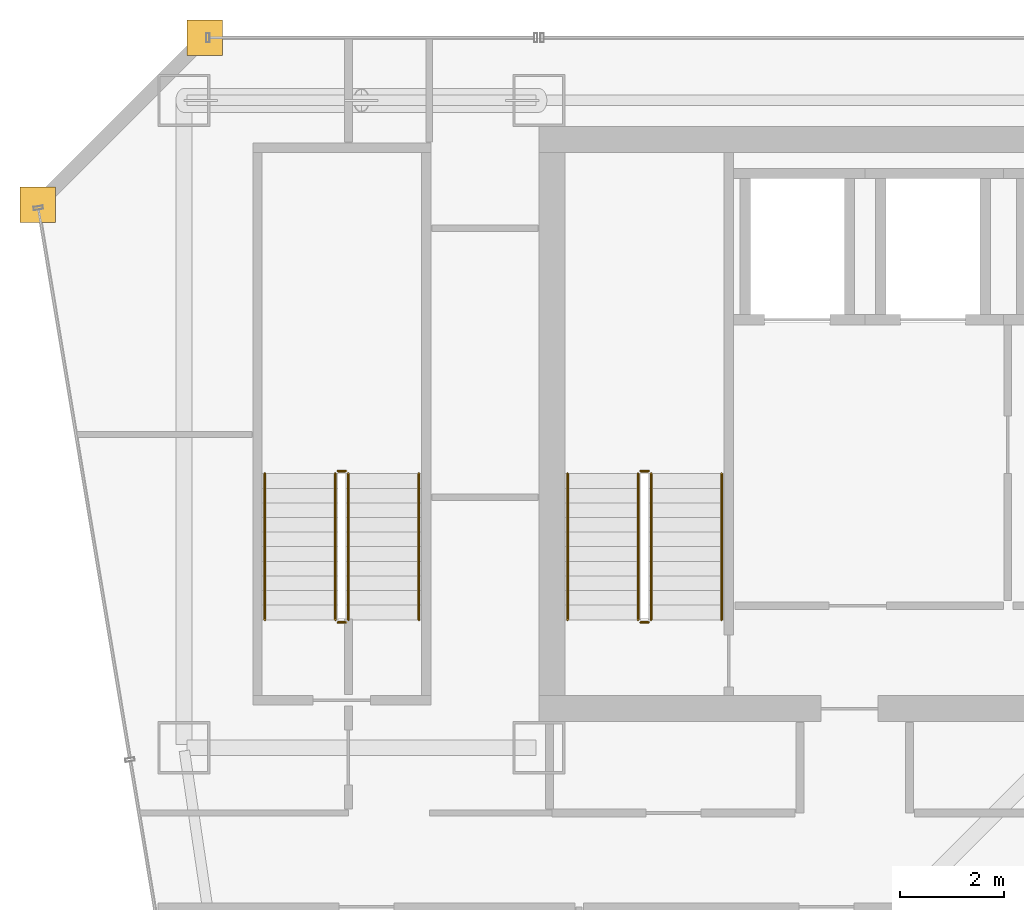
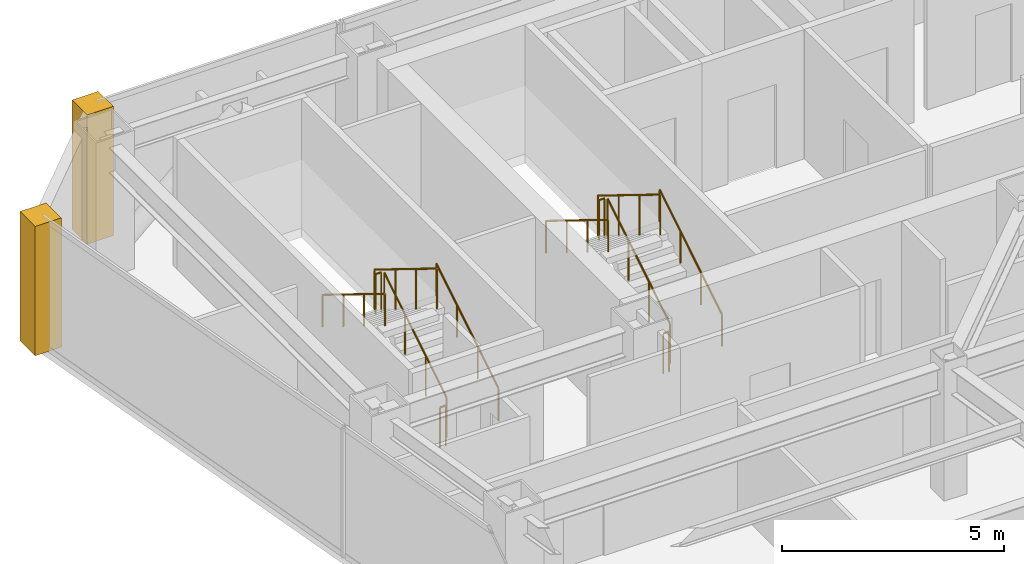
# One storey, part 35 of 36: 12 railings, 2 coverings.
"""IFC4 building model written with IfcOpenShell, lengths in metres."""

from ifc_helpers import new_model, si_unit, direction, frame, origin, origin_2d, place, context, subcontext, project, spatial, polyline, circle, outline, extrude, material, layer, layer_set, type_object, element, save


model = new_model("IFC4")

# Units and contexts
model_context = context("Model", 3, precision=1e-05, world=origin(), true_north=direction((0.0, 1.0)))
body_context = subcontext(model_context, "Body", "Model", "MODEL_VIEW")
ifc_project = project(units=[si_unit("LENGTHUNIT", "METRE"), si_unit("AREAUNIT", "SQUARE_METRE"), si_unit("VOLUMEUNIT", "CUBIC_METRE"), si_unit("PLANEANGLEUNIT", "RADIAN"), si_unit("MASSUNIT", "GRAM", prefix="KILO")], contexts=[model_context])

# Site, building, storey
site_placement = place(None, origin())
site = spatial("IfcSite", under=ifc_project, at=site_placement, CompositionType="ELEMENT")
building_placement = place(site_placement, origin())
building = spatial("IfcBuilding", under=site, at=building_placement, Name="Saevonmaru Cultural Tower", CompositionType="ELEMENT")
storey_placement = place(building_placement, frame((0.0, 0.0, 152.39990234375)))
storey = spatial("IfcBuildingStorey", under=building, at=storey_placement, Name="L33", CompositionType="ELEMENT", Elevation=152.39990234375)

# Coverings
ifc_material_1 = material(Name="Satin Bronze Anodised Aluminium", Category="aluminium")
ifc_layer = layer(ifc_material_1, 0.679931640625, Name="Satin Bronze Anodised Aluminium")
ifc_layer_set = layer_set([ifc_layer], Name="Satin Bronze Anodised Aluminium")
covering_type = type_object("IfcCoveringType", Name="CV-CORNER-CLAD", PredefinedType="CLADDING", material=ifc_layer_set)
covering_1_placement = place(storey_placement, origin())
element("IfcCovering", 1, at=covering_1_placement, inside=storey, type_object=covering_type, Name="L33 Tower Bronze Corner Cladding Pier 11", PredefinedType="CLADDING", context=body_context, shape_type="SweptSolid", body=[
    extrude(outline(polyline([(6.860107421875, 55.659912109375), (7.5400390625, 55.659912109375), (7.5400390625, 56.340087890625), (6.860107421875, 56.340087890625), (6.860107421875, 55.659912109375)])), origin(), (0.0, 0.0, 1.0), 3.550048828125),
])
covering_2_placement = place(storey_placement, origin())
element("IfcCovering", 2, at=covering_2_placement, inside=storey, type_object=covering_type, Name="L33 Tower Bronze Corner Cladding Pier 12", PredefinedType="CLADDING", context=body_context, shape_type="SweptSolid", body=[
    extrude(outline(polyline([(3.659912109375, 52.4599609375), (4.340087890625, 52.4599609375), (4.340087890625, 53.139892578125), (3.659912109375, 53.139892578125), (3.659912109375, 52.4599609375)])), origin(), (0.0, 0.0, 1.0), 3.550048828125),
])

# Railings
ifc_material_2 = material(Name="Architectural Painted Steel", Category="steel")
railing_type_1 = type_object("IfcRailingType", Name="RL-STAIR-GUARD", PredefinedType="GUARDRAIL", material=ifc_material_2)
railing_1_placement = place(storey_placement, frame((15.75, 44.85009765625, 0.1728515625)))
element("IfcRailing", 3, at=railing_1_placement, inside=storey, type_object=railing_type_1, Name="L33 ST-1 stair guard 1", PredefinedType="GUARDRAIL", context=body_context, shape_type="SweptSolid", body=[
    extrude(circle(Radius=0.02392578125, at=origin_2d()), frame((0.0, 0.0, 1.09619140625), z_axis=(0.0, 0.851069175582, 0.525053576669), x_axis=(-1.0, 0.0, 0.0)), (0.0, 0.0, 1.0), 3.289794921875),
    extrude(circle(Radius=0.02099609375, at=origin_2d()), origin(), (0.0, 0.0, 1.0), 1.072021484375),
    extrude(circle(Radius=0.02099609375, at=origin_2d()), frame((0.0, 0.933349609375, 0.57568359375)), (0.0, 0.0, 1.0), 1.072021484375),
    extrude(circle(Radius=0.02099609375, at=origin_2d()), frame((0.0, 1.866455078125, 1.151611328125)), (0.0, 0.0, 1.0), 1.072021484375),
    extrude(circle(Radius=0.02099609375, at=origin_2d()), frame((0.0, 2.7998046875, 1.727294921875)), (0.0, 0.0, 1.0), 1.072021484375),
])
railing_2_placement = place(storey_placement, frame((15.699951171875, 47.699951171875, 1.900146484375)))
element("IfcRailing", 4, at=railing_2_placement, inside=storey, type_object=railing_type_1, Name="L33 ST-1 stair guard 2", PredefinedType="GUARDRAIL", context=body_context, shape_type="SweptSolid", body=[
    extrude(circle(Radius=0.02392578125, at=origin_2d()), frame((0.0, 0.0, 1.09619140625), z_axis=(-1.0, 0.0, 0.0), x_axis=(0.0, -1.0, 0.0)), (0.0, 0.0, 1.0), 0.14990234375),
    extrude(circle(Radius=0.02099609375, at=origin_2d()), origin(), (0.0, 0.0, 1.0), 1.072021484375),
    extrude(circle(Radius=0.02099609375, at=origin_2d()), frame((-0.14990234375, 0.0, 0.0)), (0.0, 0.0, 1.0), 1.072021484375),
])
railing_3_placement = place(storey_placement, frame((15.5, 47.64990234375, 2.07275390625)))
element("IfcRailing", 5, at=railing_3_placement, inside=storey, type_object=railing_type_1, Name="L33 ST-1 stair guard 3", PredefinedType="GUARDRAIL", context=body_context, shape_type="SweptSolid", body=[
    extrude(circle(Radius=0.02392578125, at=origin_2d()), frame((0.0, 0.0, 1.09619140625), z_axis=(0.0, -0.851069175582, 0.525053576669), x_axis=(1.0, 0.0, 0.0)), (0.0, 0.0, 1.0), 3.289794921875),
    extrude(circle(Radius=0.02099609375, at=origin_2d()), origin(), (0.0, 0.0, 1.0), 1.072021484375),
    extrude(circle(Radius=0.02099609375, at=origin_2d()), frame((0.0, -0.933349609375, 0.57568359375)), (0.0, 0.0, 1.0), 1.072021484375),
    extrude(circle(Radius=0.02099609375, at=origin_2d()), frame((0.0, -1.866455078125, 1.151611328125)), (0.0, 0.0, 1.0), 1.072021484375),
    extrude(circle(Radius=0.02099609375, at=origin_2d()), frame((0.0, -2.7998046875, 1.727294921875)), (0.0, 0.0, 1.0), 1.072021484375),
])
railing_4_placement = place(storey_placement, frame((15.699951171875, 44.800048828125, 0.0)))
element("IfcRailing", 6, at=railing_4_placement, inside=storey, type_object=railing_type_1, Name="L33 ST-1 stair guard 4", PredefinedType="GUARDRAIL", context=body_context, shape_type="SweptSolid", body=[
    extrude(circle(Radius=0.02392578125, at=origin_2d()), frame((0.0, 0.0, 1.09619140625), z_axis=(-1.0, 0.0, 0.0), x_axis=(0.0, -1.0, 0.0)), (0.0, 0.0, 1.0), 0.14990234375),
    extrude(circle(Radius=0.02099609375, at=origin_2d()), origin(), (0.0, 0.0, 1.0), 1.072021484375),
    extrude(circle(Radius=0.02099609375, at=origin_2d()), frame((-0.14990234375, 0.0, 0.0)), (0.0, 0.0, 1.0), 1.072021484375),
])
railing_5_placement = place(storey_placement, frame((9.949951171875, 44.85009765625, 0.1728515625)))
element("IfcRailing", 7, at=railing_5_placement, inside=storey, type_object=railing_type_1, Name="L33 ST-3 stair guard 1", PredefinedType="GUARDRAIL", context=body_context, shape_type="SweptSolid", body=[
    extrude(circle(Radius=0.02392578125, at=origin_2d()), frame((0.0, 0.0, 1.09619140625), z_axis=(0.0, 0.851069175582, 0.525053576669), x_axis=(-1.0, 0.0, 0.0)), (0.0, 0.0, 1.0), 3.289794921875),
    extrude(circle(Radius=0.02099609375, at=origin_2d()), origin(), (0.0, 0.0, 1.0), 1.072021484375),
    extrude(circle(Radius=0.02099609375, at=origin_2d()), frame((0.0, 0.933349609375, 0.57568359375)), (0.0, 0.0, 1.0), 1.072021484375),
    extrude(circle(Radius=0.02099609375, at=origin_2d()), frame((0.0, 1.866455078125, 1.151611328125)), (0.0, 0.0, 1.0), 1.072021484375),
    extrude(circle(Radius=0.02099609375, at=origin_2d()), frame((0.0, 2.7998046875, 1.727294921875)), (0.0, 0.0, 1.0), 1.072021484375),
])
railing_6_placement = place(storey_placement, frame((9.89990234375, 47.699951171875, 1.900146484375)))
element("IfcRailing", 8, at=railing_6_placement, inside=storey, type_object=railing_type_1, Name="L33 ST-3 stair guard 2", PredefinedType="GUARDRAIL", context=body_context, shape_type="SweptSolid", body=[
    extrude(circle(Radius=0.02392578125, at=origin_2d()), frame((0.0, 0.0, 1.09619140625), z_axis=(-1.0, 0.0, 0.0), x_axis=(0.0, -1.0, 0.0)), (0.0, 0.0, 1.0), 0.14990234375),
    extrude(circle(Radius=0.02099609375, at=origin_2d()), origin(), (0.0, 0.0, 1.0), 1.072021484375),
    extrude(circle(Radius=0.02099609375, at=origin_2d()), frame((-0.14990234375, 0.0, 0.0)), (0.0, 0.0, 1.0), 1.072021484375),
])
railing_7_placement = place(storey_placement, frame((9.699951171875, 47.64990234375, 2.07275390625)))
element("IfcRailing", 9, at=railing_7_placement, inside=storey, type_object=railing_type_1, Name="L33 ST-3 stair guard 3", PredefinedType="GUARDRAIL", context=body_context, shape_type="SweptSolid", body=[
    extrude(circle(Radius=0.02392578125, at=origin_2d()), frame((0.0, 0.0, 1.09619140625), z_axis=(0.0, -0.851069175582, 0.525053576669), x_axis=(1.0, 0.0, 0.0)), (0.0, 0.0, 1.0), 3.289794921875),
    extrude(circle(Radius=0.02099609375, at=origin_2d()), origin(), (0.0, 0.0, 1.0), 1.072021484375),
    extrude(circle(Radius=0.02099609375, at=origin_2d()), frame((0.0, -0.933349609375, 0.57568359375)), (0.0, 0.0, 1.0), 1.072021484375),
    extrude(circle(Radius=0.02099609375, at=origin_2d()), frame((0.0, -1.866455078125, 1.151611328125)), (0.0, 0.0, 1.0), 1.072021484375),
    extrude(circle(Radius=0.02099609375, at=origin_2d()), frame((0.0, -2.7998046875, 1.727294921875)), (0.0, 0.0, 1.0), 1.072021484375),
])
railing_8_placement = place(storey_placement, frame((9.89990234375, 44.800048828125, 0.0)))
element("IfcRailing", 10, at=railing_8_placement, inside=storey, type_object=railing_type_1, Name="L33 ST-3 stair guard 4", PredefinedType="GUARDRAIL", context=body_context, shape_type="SweptSolid", body=[
    extrude(circle(Radius=0.02392578125, at=origin_2d()), frame((0.0, 0.0, 1.09619140625), z_axis=(-1.0, 0.0, 0.0), x_axis=(0.0, -1.0, 0.0)), (0.0, 0.0, 1.0), 0.14990234375),
    extrude(circle(Radius=0.02099609375, at=origin_2d()), origin(), (0.0, 0.0, 1.0), 1.072021484375),
    extrude(circle(Radius=0.02099609375, at=origin_2d()), frame((-0.14990234375, 0.0, 0.0)), (0.0, 0.0, 1.0), 1.072021484375),
])
railing_type_2 = type_object("IfcRailingType", Name="RL-STAIR-HANDRAIL", PredefinedType="HANDRAIL", material=ifc_material_1)
railing_9_placement = place(storey_placement, frame((17.10009765625, 44.85009765625, 0.1728515625)))
element("IfcRailing", 11, at=railing_9_placement, inside=storey, type_object=railing_type_2, Name="L33 ST-1 stair handrail 1", PredefinedType="HANDRAIL", context=body_context, shape_type="SweptSolid", body=[
    extrude(circle(Radius=0.02392578125, at=origin_2d()), frame((0.0, 0.0, 0.8759765625), z_axis=(0.0, 0.851069175582, 0.525053576669), x_axis=(-1.0, 0.0, 0.0)), (0.0, 0.0, 1.0), 3.289794921875),
    extrude(circle(Radius=0.02099609375, at=origin_2d()), origin(), (0.0, 0.0, 1.0), 0.851806640625),
    extrude(circle(Radius=0.02099609375, at=origin_2d()), frame((0.0, 0.933349609375, 0.57568359375)), (0.0, 0.0, 1.0), 0.851806640625),
    extrude(circle(Radius=0.02099609375, at=origin_2d()), frame((0.0, 1.866455078125, 1.151611328125)), (0.0, 0.0, 1.0), 0.851806640625),
    extrude(circle(Radius=0.02099609375, at=origin_2d()), frame((0.0, 2.7998046875, 1.727294921875)), (0.0, 0.0, 1.0), 0.851806640625),
])
railing_10_placement = place(storey_placement, frame((14.14990234375, 47.64990234375, 2.07275390625)))
element("IfcRailing", 12, at=railing_10_placement, inside=storey, type_object=railing_type_2, Name="L33 ST-1 stair handrail 2", PredefinedType="HANDRAIL", context=body_context, shape_type="SweptSolid", body=[
    extrude(circle(Radius=0.02392578125, at=origin_2d()), frame((0.0, 0.0, 0.8759765625), z_axis=(0.0, -0.851069175582, 0.525053576669), x_axis=(1.0, 0.0, 0.0)), (0.0, 0.0, 1.0), 3.289794921875),
    extrude(circle(Radius=0.02099609375, at=origin_2d()), origin(), (0.0, 0.0, 1.0), 0.851806640625),
    extrude(circle(Radius=0.02099609375, at=origin_2d()), frame((0.0, -0.933349609375, 0.57568359375)), (0.0, 0.0, 1.0), 0.851806640625),
    extrude(circle(Radius=0.02099609375, at=origin_2d()), frame((0.0, -1.866455078125, 1.151611328125)), (0.0, 0.0, 1.0), 0.851806640625),
    extrude(circle(Radius=0.02099609375, at=origin_2d()), frame((0.0, -2.7998046875, 1.727294921875)), (0.0, 0.0, 1.0), 0.851806640625),
])
railing_11_placement = place(storey_placement, frame((11.300048828125, 44.85009765625, 0.1728515625)))
element("IfcRailing", 13, at=railing_11_placement, inside=storey, type_object=railing_type_2, Name="L33 ST-3 stair handrail 1", PredefinedType="HANDRAIL", context=body_context, shape_type="SweptSolid", body=[
    extrude(circle(Radius=0.02392578125, at=origin_2d()), frame((0.0, 0.0, 0.8759765625), z_axis=(0.0, 0.851069175582, 0.525053576669), x_axis=(-1.0, 0.0, 0.0)), (0.0, 0.0, 1.0), 3.289794921875),
    extrude(circle(Radius=0.02099609375, at=origin_2d()), origin(), (0.0, 0.0, 1.0), 0.851806640625),
    extrude(circle(Radius=0.02099609375, at=origin_2d()), frame((0.0, 0.933349609375, 0.57568359375)), (0.0, 0.0, 1.0), 0.851806640625),
    extrude(circle(Radius=0.02099609375, at=origin_2d()), frame((0.0, 1.866455078125, 1.151611328125)), (0.0, 0.0, 1.0), 0.851806640625),
    extrude(circle(Radius=0.02099609375, at=origin_2d()), frame((0.0, 2.7998046875, 1.727294921875)), (0.0, 0.0, 1.0), 0.851806640625),
])
railing_12_placement = place(storey_placement, frame((8.35009765625, 47.64990234375, 2.07275390625)))
element("IfcRailing", 14, at=railing_12_placement, inside=storey, type_object=railing_type_2, Name="L33 ST-3 stair handrail 2", PredefinedType="HANDRAIL", context=body_context, shape_type="SweptSolid", body=[
    extrude(circle(Radius=0.02392578125, at=origin_2d()), frame((0.0, 0.0, 0.8759765625), z_axis=(0.0, -0.851069175582, 0.525053576669), x_axis=(1.0, 0.0, 0.0)), (0.0, 0.0, 1.0), 3.289794921875),
    extrude(circle(Radius=0.02099609375, at=origin_2d()), origin(), (0.0, 0.0, 1.0), 0.851806640625),
    extrude(circle(Radius=0.02099609375, at=origin_2d()), frame((0.0, -0.933349609375, 0.57568359375)), (0.0, 0.0, 1.0), 0.851806640625),
    extrude(circle(Radius=0.02099609375, at=origin_2d()), frame((0.0, -1.866455078125, 1.151611328125)), (0.0, 0.0, 1.0), 0.851806640625),
    extrude(circle(Radius=0.02099609375, at=origin_2d()), frame((0.0, -2.7998046875, 1.727294921875)), (0.0, 0.0, 1.0), 0.851806640625),
])

save(model, "model.ifc")
